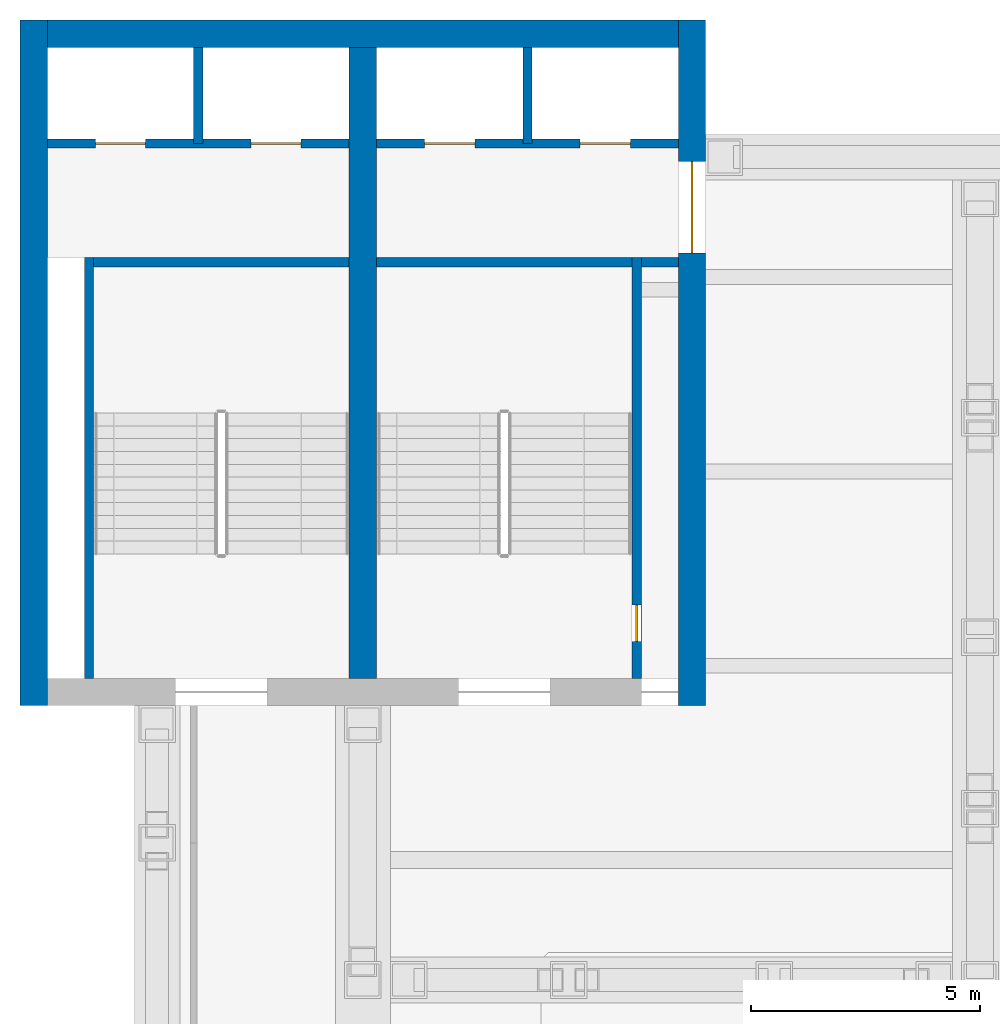
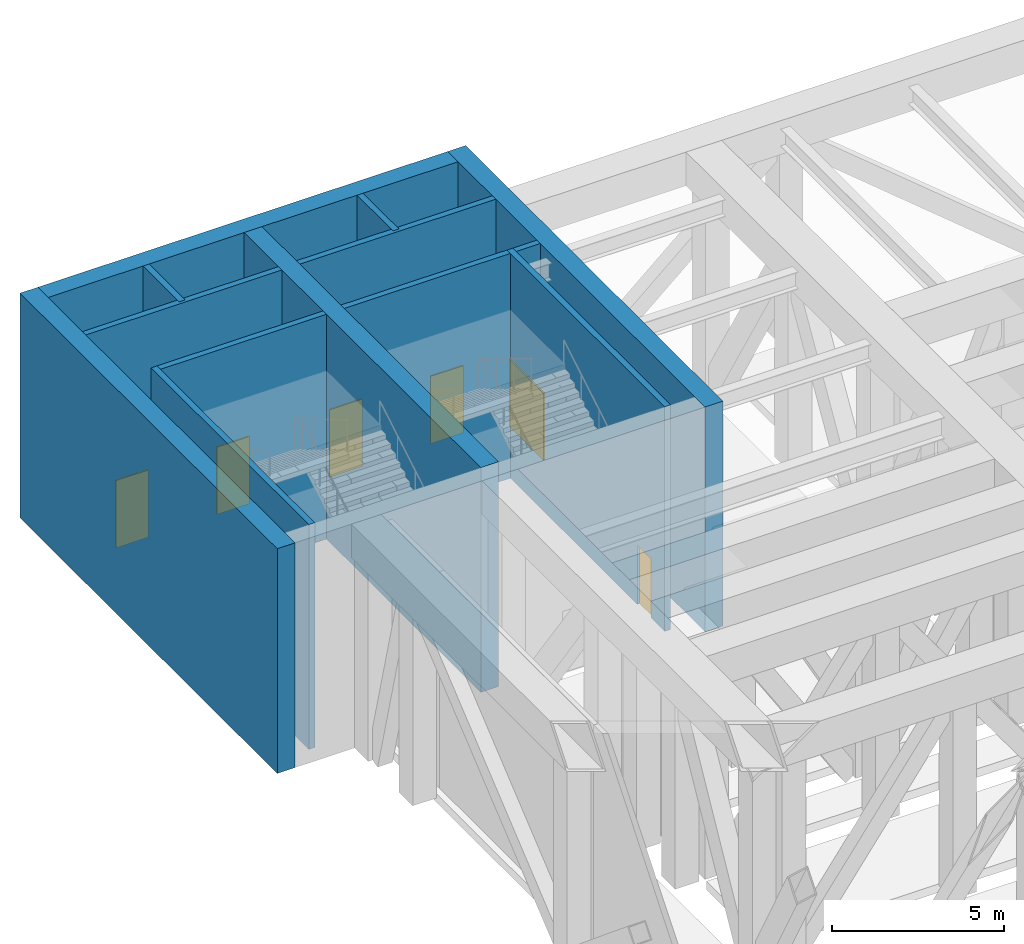
# One storey, part 10 of 20: 13 walls, 6 doors, 6 openings.
"""IFC4 building model written with IfcOpenShell, lengths in metres."""

from ifc_helpers import new_model, si_unit, direction, frame, frame_2d, origin, place, context, subcontext, project, spatial, rectangle, extrude, material, layer, layer_set, type_object, element, fill, save


model = new_model("IFC4")

# Units and contexts
model_context = context("Model", 3, precision=1e-05, world=origin(), true_north=direction((0.0, 1.0)))
body_context = subcontext(model_context, "Body", "Model", "MODEL_VIEW")
ifc_project = project(units=[si_unit("LENGTHUNIT", "METRE"), si_unit("AREAUNIT", "SQUARE_METRE"), si_unit("VOLUMEUNIT", "CUBIC_METRE"), si_unit("PLANEANGLEUNIT", "RADIAN"), si_unit("MASSUNIT", "GRAM", prefix="KILO")], contexts=[model_context])

# Site, building, storey
site_placement = place(None, origin())
site = spatial("IfcSite", under=ifc_project, at=site_placement, CompositionType="ELEMENT")
building_placement = place(site_placement, origin())
building = spatial("IfcBuilding", under=site, at=building_placement, Name="Corbelhall Arena Tower", CompositionType="ELEMENT")
storey_placement = place(building_placement, frame((0.0, 0.0, 52.0)))
storey = spatial("IfcBuildingStorey", under=building, at=storey_placement, Name="L07", CompositionType="ELEMENT", Elevation=52.0)

# Wall
ifc_material_1 = material(Name="Gypsum board on steel studs", Category="steel")
ifc_layer_1 = layer(ifc_material_1, 0.199951171875)
ifc_layer_set_1 = layer_set([ifc_layer_1], Name="AR-ROOM-WALL")
wall_type_1 = type_object("IfcWallType", Name="AR-ROOM-WALL", PredefinedType="PARTITIONING", material=ifc_layer_set_1)
wall_1_placement = place(storey_placement, frame((-34.409912109375, 33.699951171875, 0.0), z_axis=(0.0, 0.0, 1.0), x_axis=(1.0, 0.0, 0.0)))
element("IfcWall", 1, at=wall_1_placement, inside=storey, type_object=wall_type_1, Name="Mechanical plant room 02 wall", PredefinedType="PARTITIONING", context=body_context, shape_type="SweptSolid", body=[
    extrude(rectangle(XDim=0.809814453125, YDim=0.199951171875, at=frame_2d((0.40478515625, 0.0))), origin(), (0.0, 0.0, 1.0), 8.0),
])

# Wall, openings, doors
ifc_material_2 = material(Name="Reinforced concrete C40/50", Category="concrete")
ifc_layer_2 = layer(ifc_material_2, 0.199951171875)
ifc_layer_set_2 = layer_set([ifc_layer_2], Name="AR-SHAFT-WALL")
wall_type_2 = type_object("IfcWallType", Name="AR-SHAFT-WALL", PredefinedType="SHEAR", material=ifc_layer_set_2)
wall_2_placement = place(storey_placement, frame((-47.39990234375, 36.300048828125, 0.0), z_axis=(0.0, 0.0, 1.0), x_axis=(1.0, 0.0, 0.0)))
wall_2 = element("IfcWall", 2, at=wall_2_placement, inside=storey, type_object=wall_type_2, Name="Lift lobby wall NW", PredefinedType="SHEAR", context=body_context, shape_type="SweptSolid", body=[
    extrude(rectangle(XDim=6.599853515625, YDim=0.199951171875, at=frame_2d((3.2998046875, 0.0))), origin(), (0.0, 0.0, 1.0), 8.0),
])
opening_1_placement = place(wall_2_placement, frame((1.050048828125, 0.0, 0.0)))
opening_1 = element("IfcOpeningElement", 3, at=opening_1_placement, cuts=wall_2, Name="Opening LD0196", PredefinedType="OPENING", context=body_context, shape_type="SweptSolid", body=[
    extrude(rectangle(XDim=1.10009765625, YDim=2.39990234375, at=frame_2d((0.550048828125, 1.199951171875))), frame((0.0, 0.10009765625, 0.0), z_axis=(0.0, -1.0, 0.0), x_axis=(1.0, 0.0, 0.0)), (0.0, 0.0, 1.0), 0.199951171875),
])
opening_2_placement = place(wall_2_placement, frame((4.449951171875, 0.0, 0.0)))
opening_2 = element("IfcOpeningElement", 4, at=opening_2_placement, cuts=wall_2, Name="Opening LD0197", PredefinedType="OPENING", context=body_context, shape_type="SweptSolid", body=[
    extrude(rectangle(XDim=1.10009765625, YDim=2.39990234375, at=frame_2d((0.550048828125, 1.199951171875))), frame((0.0, 0.10009765625, 0.0), z_axis=(0.0, -1.0, 0.0), x_axis=(1.0, 0.0, 0.0)), (0.0, 0.0, 1.0), 0.199951171875),
])
ifc_material_3 = material(Name="Stainless steel A4", Category="steel")
door_type_1 = type_object("IfcDoorType", Name="AR-LANDING-DOOR", OperationType="DOUBLE_DOOR_SLIDING", PredefinedType="DOOR", material=ifc_material_3)
door_1_placement = place(opening_1_placement, origin())
door_1 = element("IfcDoor", 5, at=door_1_placement, inside=storey, type_object=door_type_1, Name="Landing door NW LF3 L07", OperationType="DOUBLE_DOOR_SLIDING", OverallHeight=2.39990234375, OverallWidth=1.10009765625, PredefinedType="DOOR", context=body_context, shape_type="SweptSolid", body=[
    extrude(rectangle(XDim=1.10009765625, YDim=2.39990234375, at=frame_2d((0.550048828125, 1.199951171875))), frame((0.0, 0.02490234375, 0.0), z_axis=(0.0, -1.0, 0.0), x_axis=(1.0, 0.0, 0.0)), (0.0, 0.0, 1.0), 0.050048828125),
])
fill(opening_1, door_1)
door_2_placement = place(opening_2_placement, origin())
door_2 = element("IfcDoor", 6, at=door_2_placement, inside=storey, type_object=door_type_1, Name="Landing door NW LF4 L07", OperationType="DOUBLE_DOOR_SLIDING", OverallHeight=2.39990234375, OverallWidth=1.10009765625, PredefinedType="DOOR", context=body_context, shape_type="SweptSolid", body=[
    extrude(rectangle(XDim=1.10009765625, YDim=2.39990234375, at=frame_2d((0.550048828125, 1.199951171875))), frame((0.0, 0.02490234375, 0.0), z_axis=(0.0, -1.0, 0.0), x_axis=(1.0, 0.0, 0.0)), (0.0, 0.0, 1.0), 0.050048828125),
])
fill(opening_2, door_2)

wall_3_placement = place(storey_placement, frame((-40.199951171875, 36.300048828125, 0.0), z_axis=(0.0, 0.0, 1.0), x_axis=(1.0, 0.0, 0.0)))
wall_3 = element("IfcWall", 7, at=wall_3_placement, inside=storey, type_object=wall_type_2, Name="Lift lobby wall NW", PredefinedType="SHEAR", context=body_context, shape_type="SweptSolid", body=[
    extrude(rectangle(XDim=6.599853515625, YDim=0.199951171875, at=frame_2d((3.2998046875, 0.0))), origin(), (0.0, 0.0, 1.0), 8.0),
])
opening_3_placement = place(wall_3_placement, frame((1.050048828125, 0.0, 0.0)))
opening_3 = element("IfcOpeningElement", 8, at=opening_3_placement, cuts=wall_3, Name="Opening LD0198", PredefinedType="OPENING", context=body_context, shape_type="SweptSolid", body=[
    extrude(rectangle(XDim=1.10009765625, YDim=2.39990234375, at=frame_2d((0.550048828125, 1.199951171875))), frame((0.0, 0.10009765625, 0.0), z_axis=(0.0, -1.0, 0.0), x_axis=(1.0, 0.0, 0.0)), (0.0, 0.0, 1.0), 0.199951171875),
])
opening_4_placement = place(wall_3_placement, frame((4.449951171875, 0.0, 0.0)))
opening_4 = element("IfcOpeningElement", 9, at=opening_4_placement, cuts=wall_3, Name="Opening LD0199", PredefinedType="OPENING", context=body_context, shape_type="SweptSolid", body=[
    extrude(rectangle(XDim=1.10009765625, YDim=2.39990234375, at=frame_2d((0.550048828125, 1.199951171875))), frame((0.0, 0.10009765625, 0.0), z_axis=(0.0, -1.0, 0.0), x_axis=(1.0, 0.0, 0.0)), (0.0, 0.0, 1.0), 0.199951171875),
])
door_3_placement = place(opening_3_placement, origin())
door_3 = element("IfcDoor", 10, at=door_3_placement, inside=storey, type_object=door_type_1, Name="Landing door NW LF1 L07", OperationType="DOUBLE_DOOR_SLIDING", OverallHeight=2.39990234375, OverallWidth=1.10009765625, PredefinedType="DOOR", context=body_context, shape_type="SweptSolid", body=[
    extrude(rectangle(XDim=1.10009765625, YDim=2.39990234375, at=frame_2d((0.550048828125, 1.199951171875))), frame((0.0, 0.02490234375, 0.0), z_axis=(0.0, -1.0, 0.0), x_axis=(1.0, 0.0, 0.0)), (0.0, 0.0, 1.0), 0.050048828125),
])
fill(opening_3, door_3)
door_4_placement = place(opening_4_placement, origin())
door_4 = element("IfcDoor", 11, at=door_4_placement, inside=storey, type_object=door_type_1, Name="Landing door NW LF2 L07", OperationType="DOUBLE_DOOR_SLIDING", OverallHeight=2.39990234375, OverallWidth=1.10009765625, PredefinedType="DOOR", context=body_context, shape_type="SweptSolid", body=[
    extrude(rectangle(XDim=1.10009765625, YDim=2.39990234375, at=frame_2d((0.550048828125, 1.199951171875))), frame((0.0, 0.02490234375, 0.0), z_axis=(0.0, -1.0, 0.0), x_axis=(1.0, 0.0, 0.0)), (0.0, 0.0, 1.0), 0.050048828125),
])
fill(opening_4, door_4)

# Walls
for number, where, z_axis, x_axis, name in (
    (12, (-36.89990234375, 36.300048828125, 0.0), (0.0, 0.0, 1.0), (0.0, 1.0, 0.0), "Shaft wall NW"),
    (13, (-44.10009765625, 36.300048828125, 0.0), (0.0, 0.0, 1.0), (0.0, 1.0, 0.0), "Shaft wall NW"),
):
    element("IfcWall", number, at=place(storey_placement, frame(where, z_axis=z_axis, x_axis=x_axis)), inside=storey, type_object=wall_type_2, Name=name, PredefinedType="SHEAR", context=body_context, shape_type="SweptSolid", body=[
        extrude(rectangle(XDim=2.099853515625, YDim=0.199951171875, at=frame_2d((1.0498046875, 0.0))), origin(), (0.0, 0.0, 1.0), 8.0),
    ])

# Wall, opening, door
ifc_layer_3 = layer(ifc_material_2, 0.199951171875)
ifc_layer_set_3 = layer_set([ifc_layer_3], Name="AR-STAIR-WALL")
wall_type_3 = type_object("IfcWallType", Name="AR-STAIR-WALL", PredefinedType="SOLIDWALL", material=ifc_layer_set_3)
wall_4_placement = place(storey_placement, frame((-34.510009765625, 24.60009765625, 0.0), z_axis=(0.0, 0.0, 1.0), x_axis=(0.0, 1.0, 0.0)))
wall_4 = element("IfcWall", 14, at=wall_4_placement, inside=storey, type_object=wall_type_3, Name="Stair AS3 wall", PredefinedType="SOLIDWALL", context=body_context, shape_type="SweptSolid", body=[
    extrude(rectangle(XDim=9.199951171875, YDim=0.199951171875, at=frame_2d((4.60009765625, 0.0))), origin(), (0.0, 0.0, 1.0), 8.0),
])
opening_5_placement = place(wall_4_placement, frame((0.800048828125, 0.0, 0.0)))
opening_5 = element("IfcOpeningElement", 15, at=opening_5_placement, cuts=wall_4, Name="Opening DA0470", PredefinedType="OPENING", context=body_context, shape_type="SweptSolid", body=[
    extrude(rectangle(XDim=0.800048828125, YDim=2.10009765625, at=frame_2d((0.39990234375, 1.050048828125))), frame((0.0, 0.10009765625, 0.0), z_axis=(0.0, -1.0, 0.0), x_axis=(1.0, 0.0, 0.0)), (0.0, 0.0, 1.0), 0.199951171875),
])
ifc_material_4 = material(Name="Steel", Category="steel")
door_type_2 = type_object("IfcDoorType", Name="AR-PLANT-DOOR", OperationType="SINGLE_SWING_LEFT", PredefinedType="DOOR", material=ifc_material_4)
door_5_placement = place(opening_5_placement, origin())
door_5 = element("IfcDoor", 16, at=door_5_placement, inside=storey, type_object=door_type_2, Name="Mechanical plant room 02 stair door", OperationType="SINGLE_SWING_LEFT", OverallHeight=2.10009765625, OverallWidth=0.800048828125, PredefinedType="DOOR", context=body_context, shape_type="SweptSolid", body=[
    extrude(rectangle(XDim=0.800048828125, YDim=2.10009765625, at=frame_2d((0.39990234375, 1.050048828125))), frame((0.0, 0.02490234375, 0.0), z_axis=(0.0, -1.0, 0.0), x_axis=(1.0, 0.0, 0.0)), (0.0, 0.0, 1.0), 0.050048828125),
])
fill(opening_5, door_5)

# Walls
wall_5_placement = place(storey_placement, frame((-40.199951171875, 33.699951171875, 0.0), z_axis=(0.0, 0.0, 1.0), x_axis=(1.0, 0.0, 0.0)))
element("IfcWall", 17, at=wall_5_placement, inside=storey, type_object=wall_type_3, Name="Stair AS3 wall", PredefinedType="SOLIDWALL", context=body_context, shape_type="SweptSolid", body=[
    extrude(rectangle(XDim=5.58984375, YDim=0.199951171875, at=frame_2d((2.794921875, 0.0))), origin(), (0.0, 0.0, 1.0), 8.0),
])
wall_6_placement = place(storey_placement, frame((-46.489990234375, 24.60009765625, 0.0), z_axis=(0.0, 0.0, 1.0), x_axis=(0.0, 1.0, 0.0)))
element("IfcWall", 18, at=wall_6_placement, inside=storey, type_object=wall_type_3, Name="Stair AS4 wall", PredefinedType="SOLIDWALL", context=body_context, shape_type="SweptSolid", body=[
    extrude(rectangle(XDim=9.199951171875, YDim=0.199951171875, at=frame_2d((4.60009765625, 0.0))), origin(), (0.0, 0.0, 1.0), 8.0),
])
wall_7_placement = place(storey_placement, frame((-46.389892578125, 33.699951171875, 0.0), z_axis=(0.0, 0.0, 1.0), x_axis=(1.0, 0.0, 0.0)))
element("IfcWall", 19, at=wall_7_placement, inside=storey, type_object=wall_type_3, Name="Stair AS4 wall", PredefinedType="SOLIDWALL", context=body_context, shape_type="SweptSolid", body=[
    extrude(rectangle(XDim=5.58984375, YDim=0.199951171875, at=frame_2d((2.794921875, 0.0))), origin(), (0.0, 0.0, 1.0), 8.0),
])
ifc_material_5 = material(Name="Concrete C80/95", Category="concrete")
ifc_layer_4 = layer(ifc_material_5, 0.60009765625)
ifc_layer_set_4 = layer_set([ifc_layer_4], Name="PO-CORE-WALL")
wall_type_4 = type_object("IfcWallType", Name="PO-CORE-WALL", PredefinedType="SHEAR", material=ifc_layer_set_4)
wall_8_placement = place(storey_placement, frame((-47.39990234375, 38.699951171875, 0.0), z_axis=(0.0, 0.0, 1.0), x_axis=(1.0, 0.0, 0.0)))
element("IfcWall", 20, at=wall_8_placement, inside=storey, type_object=wall_type_4, Name="CORE NW WALL N L07", PredefinedType="SHEAR", context=body_context, shape_type="SweptSolid", body=[
    extrude(rectangle(XDim=13.7998046875, YDim=0.60009765625, at=frame_2d((6.89990234375, 0.0))), origin(), (0.0, 0.0, 1.0), 8.0),
])
wall_9_placement = place(storey_placement, frame((-47.699951171875, 24.0, 0.0), z_axis=(0.0, 0.0, 1.0), x_axis=(0.0, 1.0, 0.0)))
element("IfcWall", 21, at=wall_9_placement, inside=storey, type_object=wall_type_4, Name="CORE NW WALL W L07", PredefinedType="SHEAR", context=body_context, shape_type="SweptSolid", body=[
    extrude(rectangle(XDim=15.0, YDim=0.60009765625, at=frame_2d((7.5, 0.0))), origin(), (0.0, 0.0, 1.0), 8.0),
])

# Wall, opening, door
wall_10_placement = place(storey_placement, frame((-33.300048828125, 24.0, 0.0), z_axis=(0.0, 0.0, 1.0), x_axis=(0.0, 1.0, 0.0)))
wall_10 = element("IfcWall", 22, at=wall_10_placement, inside=storey, type_object=wall_type_4, Name="CORE NW WALL E L07", PredefinedType="SHEAR", context=body_context, shape_type="SweptSolid", body=[
    extrude(rectangle(XDim=15.0, YDim=0.60009765625, at=frame_2d((7.5, 0.0))), origin(), (0.0, 0.0, 1.0), 8.0),
])
opening_6_placement = place(wall_10_placement, frame((9.89990234375, 0.0, 0.0)))
opening_6 = element("IfcOpeningElement", 23, at=opening_6_placement, cuts=wall_10, Name="Opening DA0200", PredefinedType="OPENING", context=body_context, shape_type="SweptSolid", body=[
    extrude(rectangle(XDim=2.0, YDim=2.39990234375, at=frame_2d((1.0, 1.199951171875))), frame((0.0, 0.300048828125, 0.0), z_axis=(0.0, -1.0, 0.0), x_axis=(1.0, 0.0, 0.0)), (0.0, 0.0, 1.0), 0.60009765625),
])
ifc_material_6 = material(Name="Steel and glass", Category="steel")
door_type_3 = type_object("IfcDoorType", Name="AR-CORE-DOOR", OperationType="DOUBLE_DOOR_SINGLE_SWING", PredefinedType="DOOR", material=ifc_material_6)
door_6_placement = place(opening_6_placement, origin())
door_6 = element("IfcDoor", 24, at=door_6_placement, inside=storey, type_object=door_type_3, Name="Core lobby door NW L07", OperationType="DOUBLE_DOOR_SINGLE_SWING", OverallHeight=2.39990234375, OverallWidth=2.0, PredefinedType="DOOR", context=body_context, shape_type="SweptSolid", body=[
    extrude(rectangle(XDim=2.0, YDim=2.39990234375, at=frame_2d((1.0, 1.199951171875))), frame((0.0, 0.02490234375, 0.0), z_axis=(0.0, -1.0, 0.0), x_axis=(1.0, 0.0, 0.0)), (0.0, 0.0, 1.0), 0.050048828125),
])
fill(opening_6, door_6)

# Wall
wall_11_placement = place(storey_placement, frame((-40.5, 24.60009765625, 0.0), z_axis=(0.0, 0.0, 1.0), x_axis=(0.0, 1.0, 0.0)))
element("IfcWall", 25, at=wall_11_placement, inside=storey, type_object=wall_type_4, Name="CORE NW WALL D L07", PredefinedType="SHEAR", context=body_context, shape_type="SweptSolid", body=[
    extrude(rectangle(XDim=13.7998046875, YDim=0.60009765625, at=frame_2d((6.89990234375, 0.0))), origin(), (0.0, 0.0, 1.0), 8.0),
])

save(model, "model.ifc")
